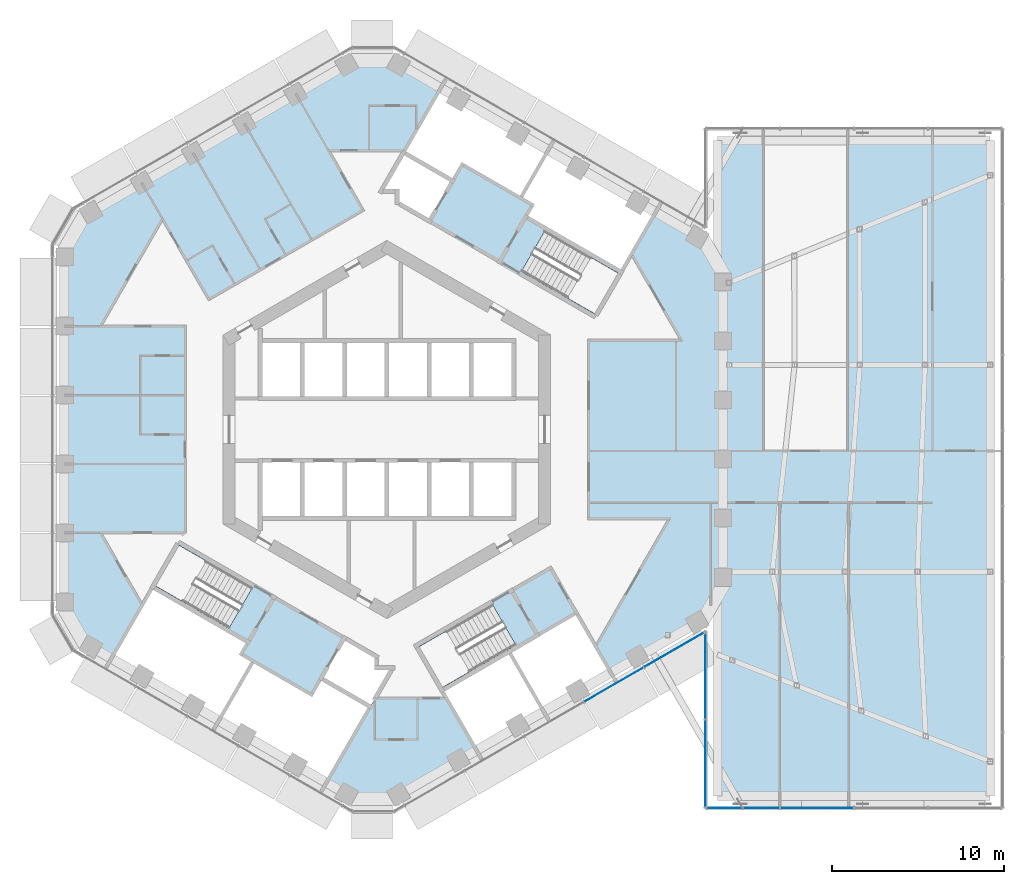
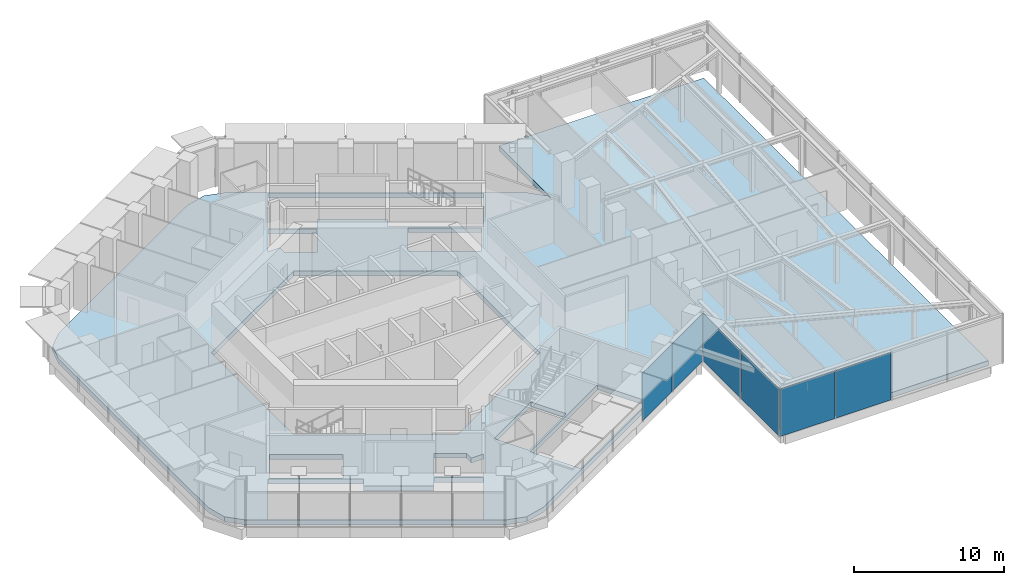
# One storey, part 11 of 24: 6 plates, 1 slab, 3 elements without a shape of their own.
"""IFC4 building model written with IfcOpenShell, lengths in metres."""

from ifc_helpers import new_model, si_unit, direction, frame, origin, origin_2d, place, context, subcontext, project, spatial, polyline, rectangle, outline, extrude, material, layer, layer_set, type_object, element, aggregate, save


model = new_model("IFC4")

# Units and contexts
model_context = context("Model", 3, precision=1e-05, world=origin(), true_north=direction((0.0, 1.0)))
body_context = subcontext(model_context, "Body", "Model", "MODEL_VIEW")
ifc_project = project(units=[si_unit("LENGTHUNIT", "METRE"), si_unit("AREAUNIT", "SQUARE_METRE"), si_unit("VOLUMEUNIT", "CUBIC_METRE"), si_unit("PLANEANGLEUNIT", "RADIAN"), si_unit("MASSUNIT", "GRAM", prefix="KILO")], contexts=[model_context])

# Site, building, storey
site_placement = place(None, origin())
site = spatial("IfcSite", under=ifc_project, at=site_placement, CompositionType="ELEMENT")
building_placement = place(site_placement, origin())
building = spatial("IfcBuilding", under=site, at=building_placement, Name="Ayvan Gate Tower", CompositionType="ELEMENT")
storey_placement = place(building_placement, frame((0.0, 0.0, 128.5)))
storey = spatial("IfcBuildingStorey", under=building, at=storey_placement, Name="L34", CompositionType="ELEMENT", Elevation=128.5)

# Slab
ifc_material_1 = material(Name="Concrete C40/50", Category="concrete")
ifc_layer_1 = layer(ifc_material_1, 0.39990234375)
ifc_layer_set_1 = layer_set([ifc_layer_1], Name="Concrete C40/50")
slab_type = type_object("IfcSlabType", Name="Post-tensioned flat slab 400", PredefinedType="FLOOR", material=ifc_layer_set_1)
slab_placement = place(storey_placement, frame((0.0, 0.0, -0.39990234375)))
element("IfcSlab", 1, at=slab_placement, inside=storey, type_object=slab_type, Name="SL-L34", PredefinedType="FLOOR", context=body_context, shape_type="SweptSolid", body=[
    extrude(outline(polyline([(-2.29248046875, -21.176513671875), (-17.193115234375, -12.573486328125), (-18.291259765625, -11.4755859375), (-18.693115234375, -9.9755859375), (-18.693115234375, 9.9755859375), (-18.291259765625, 11.4755859375), (-17.193115234375, 12.573486328125), (-2.29248046875, 21.176513671875), (-0.79248046875, 21.578369140625), (0.70751953125, 21.176513671875), (17.985595703125, 11.200927734375), (19.083740234375, 10.102783203125), (19.185546875, 9.722412109375), (19.185546875, 16.75), (34.985595703125, 16.75), (34.985595703125, -21.25), (19.185546875, -21.25), (19.185546875, -9.722412109375), (19.083740234375, -10.102783203125), (17.985595703125, -11.200927734375), (0.70751953125, -21.176513671875), (-0.79248046875, -21.578369140625), (-2.29248046875, -21.176513671875)]), holes=[polyline([(8.042724609375, 12.33056640625), (13.58544921875, 9.130615234375), (13.965087890625, 9.788330078125), (14.1904296875, 10.178466796875), (14.8154296875, 11.260986328125), (15.531982421875, 12.502197265625), (3.061279296875, 19.7021484375), (1.0146484375, 16.157470703125), (3.87255859375, 14.50732421875), (4.37255859375, 15.373291015625), (7.75, 13.42333984375), (8.44287109375, 13.0234375), (8.042724609375, 12.33056640625)]), polyline([(7.80615234375, 9.170654296875), (12.049560546875, 6.720458984375), (13.404541015625, 9.0673828125), (9.1611328125, 11.517578125), (7.80615234375, 9.170654296875)]), polyline([(3.474853515625, -15.61865234375), (5.1396484375, -18.502197265625), (12.933837890625, -14.002197265625), (12.748291015625, -13.6806640625), (11.97900390625, -12.34814453125), (10.9873046875, -10.630615234375), (8.735595703125, -11.9306640625), (7.090087890625, -12.880615234375), (3.193115234375, -15.130615234375), (3.474853515625, -15.61865234375)]), polyline([(-9.5, -5.48486328125), (0.0, -10.9697265625), (9.5, -5.48486328125), (9.5, 5.48486328125), (0.0, 10.9697265625), (-9.5, 5.48486328125), (-9.5, -5.48486328125)]), polyline([(6.117431640625, -10.1455078125), (1.873779296875, -12.595458984375), (3.228759765625, -14.9423828125), (7.472412109375, -12.492431640625), (6.117431640625, -10.1455078125)]), polyline([(0.964599609375, 16.07080078125), (-0.340576171875, 13.81005859375), (0.60009765625, 13.81005859375), (0.60009765625, 13.16357421875), (2.472412109375, 12.08251953125), (3.822509765625, 14.420654296875), (0.964599609375, 16.07080078125)]), polyline([(-0.60009765625, -13.16357421875), (-2.472412109375, -12.08251953125), (-3.822509765625, -14.420654296875), (-0.964599609375, -16.07080078125), (-0.680419921875, -15.578369140625), (0.340576171875, -13.81005859375), (-0.60009765625, -13.81005859375), (-0.60009765625, -13.16357421875)]), polyline([(-15.92822265625, -13.1884765625), (-3.45751953125, -20.388427734375), (-1.0146484375, -16.157470703125), (-3.87255859375, -14.50732421875), (-4.37255859375, -15.373291015625), (-7.75, -13.42333984375), (-8.44287109375, -13.0234375), (-8.042724609375, -12.33056640625), (-13.58544921875, -9.130615234375), (-15.92822265625, -13.1884765625)]), polyline([(-13.404541015625, -9.0673828125), (-9.1611328125, -11.517578125), (-7.80615234375, -9.170654296875), (-12.049560546875, -6.720458984375), (-13.404541015625, -9.0673828125)])]), origin(), (0.0, 0.0, 1.0), 0.39990234375),
])

# Curtain wall, plates
ifc_material_2 = material(Name="Bronze anodised aluminium", Category="aluminium")
ifc_layer_2 = layer(ifc_material_2, 0.199951171875)
ifc_layer_set_2 = layer_set([ifc_layer_2], Name="Bronze anodised aluminium")
curtain_wall_type_1 = type_object("IfcCurtainWallType", Name="Stick curtain wall CW-1", PredefinedType="NOTDEFINED", material=ifc_layer_set_2)
curtain_wall_1_placement = place(storey_placement, origin())
curtain_wall_1 = element("IfcCurtainWall", 2, at=curtain_wall_1_placement, inside=storey, type_object=curtain_wall_type_1, Name="Stick curtain wall CW-1 L34", PredefinedType="NOTDEFINED")
ifc_material_3 = material(Name="Clear low-iron laminated glass", Category="glass")
ifc_layer_3 = layer(ifc_material_3, 0.028076171875)
ifc_layer_set_3 = layer_set([ifc_layer_3], Name="Clear low-iron laminated glass")
plate_type_1 = type_object("IfcPlateType", Name="Stick curtain wall CW-1 glass panel", PredefinedType="CURTAIN_PANEL", material=ifc_layer_set_3)
plate_1_placement = place(storey_placement, frame((13.1591796875, -14.795654296875, 0.0), z_axis=(0.0, 0.0, 1.0), x_axis=(0.866025403784, 0.5, 0.0)))
plate_1 = element("IfcPlate", 3, at=plate_1_placement, type_object=plate_type_1, Name="CW-1 glass panel 4", PredefinedType="CURTAIN_PANEL", context=body_context, shape_type="SweptSolid", body=[
    extrude(rectangle(XDim=3.93798828125, YDim=0.028076171875, at=origin_2d()), origin(), (0.0, 0.0, 1.0), 3.8798828125),
])
plate_2_placement = place(storey_placement, frame((16.65283203125, -12.778564453125, 0.0), z_axis=(0.0, 0.0, 1.0), x_axis=(0.866025403784, 0.5, 0.0)))
plate_2 = element("IfcPlate", 4, at=plate_2_placement, type_object=plate_type_1, Name="CW-1 glass panel 5", PredefinedType="CURTAIN_PANEL", context=body_context, shape_type="SweptSolid", body=[
    extrude(rectangle(XDim=4.01025390625, YDim=0.028076171875, at=origin_2d()), origin(), (0.0, 0.0, 1.0), 3.8798828125),
])
aggregate(curtain_wall_1, [plate_1, plate_2])

# Curtain wall, plate
ifc_layer_4 = layer(ifc_material_2, 0.199951171875)
ifc_layer_set_4 = layer_set([ifc_layer_4], Name="Bronze anodised aluminium")
curtain_wall_type_2 = type_object("IfcCurtainWallType", Name="Stick curtain wall CW-4", PredefinedType="NOTDEFINED", material=ifc_layer_set_4)
curtain_wall_2_placement = place(storey_placement, origin())
curtain_wall_2 = element("IfcCurtainWall", 5, at=curtain_wall_2_placement, inside=storey, type_object=curtain_wall_type_2, Name="Stick curtain wall CW-4 L34", PredefinedType="NOTDEFINED")
ifc_layer_5 = layer(ifc_material_3, 0.028076171875)
ifc_layer_set_5 = layer_set([ifc_layer_5], Name="Clear low-iron laminated glass")
plate_type_2 = type_object("IfcPlateType", Name="Stick curtain wall CW-4 glass panel", PredefinedType="CURTAIN_PANEL", material=ifc_layer_set_5)
plate_3_placement = place(storey_placement, frame((18.485595703125, -14.255615234375, 0.0), z_axis=(0.0, 0.0, 1.0), x_axis=(0.0, -1.0, 0.0)))
plate_3 = element("IfcPlate", 6, at=plate_3_placement, type_object=plate_type_2, Name="CW-4 glass panel 1", PredefinedType="CURTAIN_PANEL", context=body_context, shape_type="SweptSolid", body=[
    extrude(rectangle(XDim=5.049560546875, YDim=0.028076171875, at=origin_2d()), origin(), (0.0, 0.0, 1.0), 3.860107421875),
])

# Curtain wall, plates
curtain_wall_3_placement = place(storey_placement, origin())
curtain_wall_3 = element("IfcCurtainWall", 7, at=curtain_wall_3_placement, inside=storey, type_object=curtain_wall_type_2, Name="Stick curtain wall CW-4 L34", PredefinedType="NOTDEFINED")
ifc_material_4 = material(Name="Pale anodised aluminium composite panel", Category="aluminium")
ifc_layer_6 = layer(ifc_material_4, 0.028076171875)
ifc_layer_set_6 = layer_set([ifc_layer_6], Name="Pale anodised aluminium composite panel")
plate_type_3 = type_object("IfcPlateType", Name="Stick curtain wall CW-4 solid panel", PredefinedType="CURTAIN_PANEL", material=ifc_layer_set_6)
plate_4_placement = place(storey_placement, frame((20.635498046875, -21.949951171875, 0.0), z_axis=(0.0, 0.0, 1.0), x_axis=(1.0, 0.0, 0.0)))
plate_4 = element("IfcPlate", 8, at=plate_4_placement, type_object=plate_type_3, Name="CW-4 solid panel 1", PredefinedType="CURTAIN_PANEL", context=body_context, shape_type="SweptSolid", body=[
    extrude(rectangle(XDim=4.219970703125, YDim=0.028076171875, at=origin_2d()), origin(), (0.0, 0.0, 1.0), 3.860107421875),
])
plate_5_placement = place(storey_placement, frame((24.935546875, -21.949951171875, 0.0), z_axis=(0.0, 0.0, 1.0), x_axis=(1.0, 0.0, 0.0)))
plate_5 = element("IfcPlate", 9, at=plate_5_placement, type_object=plate_type_3, Name="CW-4 solid panel 2", PredefinedType="CURTAIN_PANEL", context=body_context, shape_type="SweptSolid", body=[
    extrude(rectangle(XDim=4.219970703125, YDim=0.028076171875, at=origin_2d()), origin(), (0.0, 0.0, 1.0), 3.860107421875),
])
aggregate(curtain_wall_3, [plate_4, plate_5])

# Plate
plate_6_placement = place(storey_placement, frame((18.485595703125, -19.38525390625, 0.0), z_axis=(0.0, 0.0, 1.0), x_axis=(0.0, -1.0, 0.0)))
plate_6 = element("IfcPlate", 10, at=plate_6_placement, type_object=plate_type_3, Name="CW-4 solid panel 2", PredefinedType="CURTAIN_PANEL", context=body_context, shape_type="SweptSolid", body=[
    extrude(rectangle(XDim=5.049560546875, YDim=0.028076171875, at=origin_2d()), origin(), (0.0, 0.0, 1.0), 3.860107421875),
])

aggregate(curtain_wall_2, [plate_3, plate_6])

save(model, "model.ifc")
